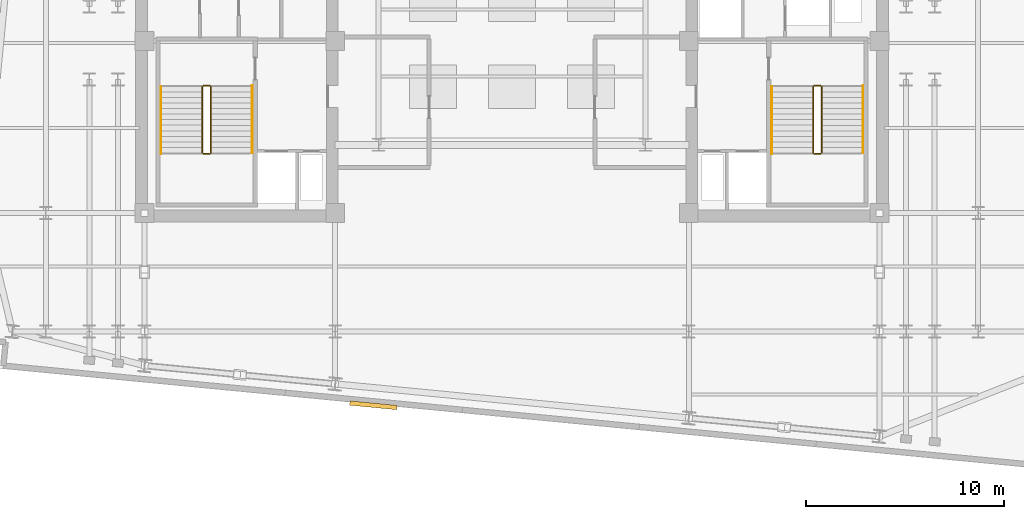
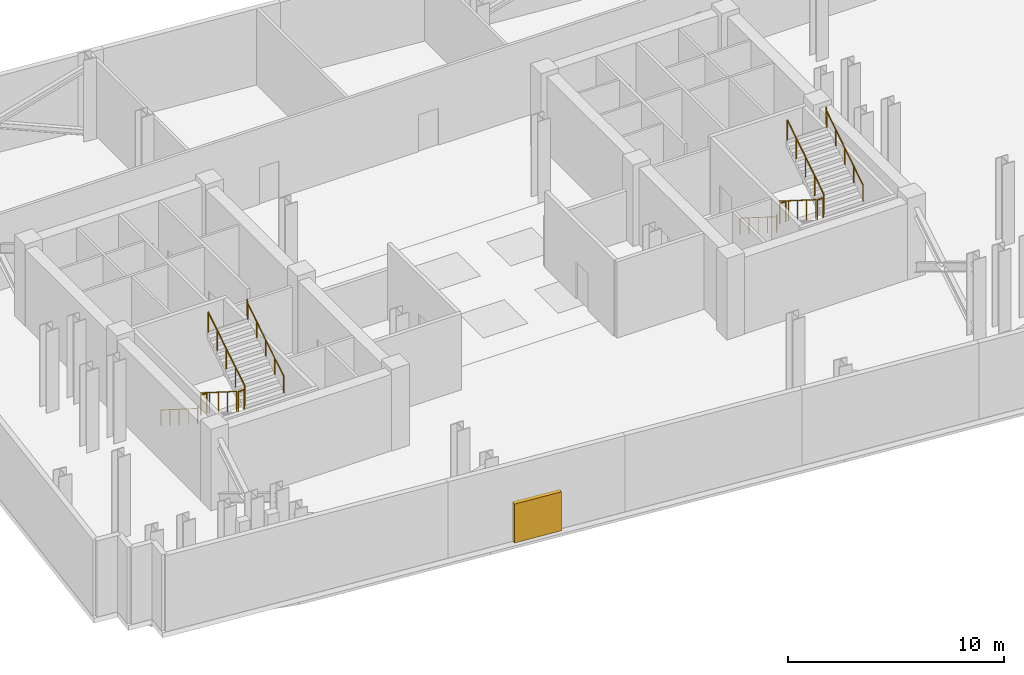
# One storey, part 7 of 8: 12 railings, 1 shading device.
"""IFC4 building model written with IfcOpenShell, lengths in metres."""

from ifc_helpers import new_model, si_unit, direction, frame, origin, origin_2d, place, context, subcontext, project, spatial, rectangle, circle, extrude, material, type_object, element, save


model = new_model("IFC4")

# Units and contexts
model_context = context("Model", 3, precision=1e-05, world=origin(), true_north=direction((0.0, 1.0)))
body_context = subcontext(model_context, "Body", "Model", "MODEL_VIEW")
ifc_project = project(units=[si_unit("LENGTHUNIT", "METRE"), si_unit("AREAUNIT", "SQUARE_METRE"), si_unit("VOLUMEUNIT", "CUBIC_METRE"), si_unit("PLANEANGLEUNIT", "RADIAN"), si_unit("MASSUNIT", "GRAM", prefix="KILO")], contexts=[model_context])

# Site, building, storey
site_placement = place(None, origin())
site = spatial("IfcSite", under=ifc_project, at=site_placement, CompositionType="ELEMENT")
building_placement = place(site_placement, origin())
building = spatial("IfcBuilding", under=site, at=building_placement, Name="Velakula Bourse", CompositionType="ELEMENT")
storey_placement = place(building_placement, frame((0.0, 0.0, 194.89990234375)))
storey = spatial("IfcBuildingStorey", under=building, at=storey_placement, Name="L53", CompositionType="ELEMENT", Elevation=194.89990234375)

# Railings
ifc_material_1 = material(Name="Brushed grade 316 stainless steel", Category="steel")
railing_type_1 = type_object("IfcRailingType", Name="RLG-STAIR-GUARD-1150", PredefinedType="BALUSTRADE", material=ifc_material_1)
railing_1_placement = place(storey_placement, frame((-15.672119140625, -2.199951171875, 0.177001953125)))
element("IfcRailing", 1, at=railing_1_placement, inside=storey, type_object=railing_type_1, Name="L53 ST-W1 stair guard 1", PredefinedType="BALUSTRADE", context=body_context, shape_type="SweptSolid", body=[
    extrude(circle(Radius=0.02490234375, at=origin_2d()), frame((0.0, 0.0, 1.125), z_axis=(0.0, -0.845389635667, 0.534150132366), x_axis=(1.0, 0.0, 0.0)), (0.0, 0.0, 1.0), 3.974609375),
    extrude(circle(Radius=0.02099609375, at=origin_2d()), origin(), (0.0, 0.0, 1.0), 1.099853515625),
    extrude(circle(Radius=0.02099609375, at=origin_2d()), frame((0.0, -0.840087890625, 0.53076171875)), (0.0, 0.0, 1.0), 1.099853515625),
    extrude(circle(Radius=0.02099609375, at=origin_2d()), frame((0.0, -1.68017578125, 1.0615234375)), (0.0, 0.0, 1.0), 1.099853515625),
    extrude(circle(Radius=0.02099609375, at=origin_2d()), frame((0.0, -2.52001953125, 1.59228515625)), (0.0, 0.0, 1.0), 1.099853515625),
    extrude(circle(Radius=0.02099609375, at=origin_2d()), frame((0.0, -3.360107421875, 2.123046875)), (0.0, 0.0, 1.0), 1.099853515625),
])
railing_2_placement = place(storey_placement, frame((-15.6220703125, -5.610107421875, 2.300048828125)))
element("IfcRailing", 2, at=railing_2_placement, inside=storey, type_object=railing_type_1, Name="L53 ST-W1 stair guard 2", PredefinedType="BALUSTRADE", context=body_context, shape_type="SweptSolid", body=[
    extrude(circle(Radius=0.02490234375, at=origin_2d()), frame((0.0, 0.0, 1.125), z_axis=(1.0, 0.0, 0.0), x_axis=(0.0, 1.0, 0.0)), (0.0, 0.0, 1.0), 0.323974609375),
    extrude(circle(Radius=0.02099609375, at=origin_2d()), origin(), (0.0, 0.0, 1.0), 1.099853515625),
    extrude(circle(Radius=0.02099609375, at=origin_2d()), frame((0.323974609375, 0.0, 0.0)), (0.0, 0.0, 1.0), 1.099853515625),
])
railing_3_placement = place(storey_placement, frame((-15.248046875, -5.56005859375, 2.47705078125)))
element("IfcRailing", 3, at=railing_3_placement, inside=storey, type_object=railing_type_1, Name="L53 ST-W1 stair guard 3", PredefinedType="BALUSTRADE", context=body_context, shape_type="SweptSolid", body=[
    extrude(circle(Radius=0.02490234375, at=origin_2d()), frame((0.0, 0.0, 1.125), z_axis=(0.0, 0.845389635667, 0.534150132366), x_axis=(-1.0, 0.0, 0.0)), (0.0, 0.0, 1.0), 3.974609375),
    extrude(circle(Radius=0.02099609375, at=origin_2d()), origin(), (0.0, 0.0, 1.0), 1.099853515625),
    extrude(circle(Radius=0.02099609375, at=origin_2d()), frame((0.0, 0.840087890625, 0.53076171875)), (0.0, 0.0, 1.0), 1.099853515625),
    extrude(circle(Radius=0.02099609375, at=origin_2d()), frame((0.0, 1.68017578125, 1.0615234375)), (0.0, 0.0, 1.0), 1.099853515625),
    extrude(circle(Radius=0.02099609375, at=origin_2d()), frame((0.0, 2.52001953125, 1.59228515625)), (0.0, 0.0, 1.0), 1.099853515625),
    extrude(circle(Radius=0.02099609375, at=origin_2d()), frame((0.0, 3.360107421875, 2.123046875)), (0.0, 0.0, 1.0), 1.099853515625),
])
railing_4_placement = place(storey_placement, frame((-15.6220703125, -2.14990234375, 0.0)))
element("IfcRailing", 4, at=railing_4_placement, inside=storey, type_object=railing_type_1, Name="L53 ST-W1 stair guard 4", PredefinedType="BALUSTRADE", context=body_context, shape_type="SweptSolid", body=[
    extrude(circle(Radius=0.02490234375, at=origin_2d()), frame((0.0, 0.0, 1.125), z_axis=(1.0, 0.0, 0.0), x_axis=(0.0, 1.0, 0.0)), (0.0, 0.0, 1.0), 0.323974609375),
    extrude(circle(Radius=0.02099609375, at=origin_2d()), origin(), (0.0, 0.0, 1.0), 1.099853515625),
    extrude(circle(Radius=0.02099609375, at=origin_2d()), frame((0.323974609375, 0.0, 0.0)), (0.0, 0.0, 1.0), 1.099853515625),
])
railing_5_placement = place(storey_placement, frame((15.248046875, -2.199951171875, 0.177001953125)))
element("IfcRailing", 5, at=railing_5_placement, inside=storey, type_object=railing_type_1, Name="L53 ST-E1 stair guard 1", PredefinedType="BALUSTRADE", context=body_context, shape_type="SweptSolid", body=[
    extrude(circle(Radius=0.02490234375, at=origin_2d()), frame((0.0, 0.0, 1.125), z_axis=(0.0, -0.845389635667, 0.534150132366), x_axis=(1.0, 0.0, 0.0)), (0.0, 0.0, 1.0), 3.974609375),
    extrude(circle(Radius=0.02099609375, at=origin_2d()), origin(), (0.0, 0.0, 1.0), 1.099853515625),
    extrude(circle(Radius=0.02099609375, at=origin_2d()), frame((0.0, -0.840087890625, 0.53076171875)), (0.0, 0.0, 1.0), 1.099853515625),
    extrude(circle(Radius=0.02099609375, at=origin_2d()), frame((0.0, -1.68017578125, 1.0615234375)), (0.0, 0.0, 1.0), 1.099853515625),
    extrude(circle(Radius=0.02099609375, at=origin_2d()), frame((0.0, -2.52001953125, 1.59228515625)), (0.0, 0.0, 1.0), 1.099853515625),
    extrude(circle(Radius=0.02099609375, at=origin_2d()), frame((0.0, -3.360107421875, 2.123046875)), (0.0, 0.0, 1.0), 1.099853515625),
])
railing_6_placement = place(storey_placement, frame((15.298095703125, -5.610107421875, 2.300048828125)))
element("IfcRailing", 6, at=railing_6_placement, inside=storey, type_object=railing_type_1, Name="L53 ST-E1 stair guard 2", PredefinedType="BALUSTRADE", context=body_context, shape_type="SweptSolid", body=[
    extrude(circle(Radius=0.02490234375, at=origin_2d()), frame((0.0, 0.0, 1.125), z_axis=(1.0, 0.0, 0.0), x_axis=(0.0, 1.0, 0.0)), (0.0, 0.0, 1.0), 0.323974609375),
    extrude(circle(Radius=0.02099609375, at=origin_2d()), origin(), (0.0, 0.0, 1.0), 1.099853515625),
    extrude(circle(Radius=0.02099609375, at=origin_2d()), frame((0.323974609375, 0.0, 0.0)), (0.0, 0.0, 1.0), 1.099853515625),
])
railing_7_placement = place(storey_placement, frame((15.672119140625, -5.56005859375, 2.47705078125)))
element("IfcRailing", 7, at=railing_7_placement, inside=storey, type_object=railing_type_1, Name="L53 ST-E1 stair guard 3", PredefinedType="BALUSTRADE", context=body_context, shape_type="SweptSolid", body=[
    extrude(circle(Radius=0.02490234375, at=origin_2d()), frame((0.0, 0.0, 1.125), z_axis=(0.0, 0.845389635667, 0.534150132366), x_axis=(-1.0, 0.0, 0.0)), (0.0, 0.0, 1.0), 3.974609375),
    extrude(circle(Radius=0.02099609375, at=origin_2d()), origin(), (0.0, 0.0, 1.0), 1.099853515625),
    extrude(circle(Radius=0.02099609375, at=origin_2d()), frame((0.0, 0.840087890625, 0.53076171875)), (0.0, 0.0, 1.0), 1.099853515625),
    extrude(circle(Radius=0.02099609375, at=origin_2d()), frame((0.0, 1.68017578125, 1.0615234375)), (0.0, 0.0, 1.0), 1.099853515625),
    extrude(circle(Radius=0.02099609375, at=origin_2d()), frame((0.0, 2.52001953125, 1.59228515625)), (0.0, 0.0, 1.0), 1.099853515625),
    extrude(circle(Radius=0.02099609375, at=origin_2d()), frame((0.0, 3.360107421875, 2.123046875)), (0.0, 0.0, 1.0), 1.099853515625),
])
railing_8_placement = place(storey_placement, frame((15.298095703125, -2.14990234375, 0.0)))
element("IfcRailing", 8, at=railing_8_placement, inside=storey, type_object=railing_type_1, Name="L53 ST-E1 stair guard 4", PredefinedType="BALUSTRADE", context=body_context, shape_type="SweptSolid", body=[
    extrude(circle(Radius=0.02490234375, at=origin_2d()), frame((0.0, 0.0, 1.125), z_axis=(1.0, 0.0, 0.0), x_axis=(0.0, 1.0, 0.0)), (0.0, 0.0, 1.0), 0.323974609375),
    extrude(circle(Radius=0.02099609375, at=origin_2d()), origin(), (0.0, 0.0, 1.0), 1.099853515625),
    extrude(circle(Radius=0.02099609375, at=origin_2d()), frame((0.323974609375, 0.0, 0.0)), (0.0, 0.0, 1.0), 1.099853515625),
])
railing_type_2 = type_object("IfcRailingType", Name="RLG-STAIR-HAND-920", PredefinedType="HANDRAIL", material=ifc_material_1)
railing_9_placement = place(storey_placement, frame((-17.77001953125, -2.199951171875, 0.177001953125)))
element("IfcRailing", 9, at=railing_9_placement, inside=storey, type_object=railing_type_2, Name="L53 ST-W1 stair handrail 1", PredefinedType="HANDRAIL", context=body_context, shape_type="SweptSolid", body=[
    extrude(circle(Radius=0.02099609375, at=origin_2d()), frame((0.0, 0.0, 0.89892578125), z_axis=(0.0, -0.845389635667, 0.534150132366), x_axis=(1.0, 0.0, 0.0)), (0.0, 0.0, 1.0), 3.974609375),
    extrude(circle(Radius=0.02099609375, at=origin_2d()), frame((0.0, -3.360107421875, 3.02197265625), z_axis=(0.0, -0.220632483455, 0.975357015274), x_axis=(1.0, 0.0, 0.0)), (0.0, 0.0, 1.0), 0.181396484375),
    extrude(circle(Radius=0.02099609375, at=origin_2d()), frame((0.0, -3.400146484375, 3.198974609375), z_axis=(0.0, -1.0, 0.0), x_axis=(1.0, 0.0, 0.0)), (0.0, 0.0, 1.0), 0.0048828125),
    extrude(circle(Radius=0.02099609375, at=origin_2d()), origin(), (0.0, 0.0, 1.0), 0.8779296875),
    extrude(circle(Radius=0.02099609375, at=origin_2d()), frame((0.0, -0.840087890625, 0.53076171875)), (0.0, 0.0, 1.0), 0.8779296875),
    extrude(circle(Radius=0.02099609375, at=origin_2d()), frame((0.0, -1.68017578125, 1.0615234375)), (0.0, 0.0, 1.0), 0.8779296875),
    extrude(circle(Radius=0.02099609375, at=origin_2d()), frame((0.0, -2.52001953125, 1.59228515625)), (0.0, 0.0, 1.0), 0.8779296875),
    extrude(circle(Radius=0.02099609375, at=origin_2d()), frame((0.0, -3.360107421875, 2.123046875)), (0.0, 0.0, 1.0), 0.8779296875),
    extrude(circle(Radius=0.02099609375, at=origin_2d()), frame((0.0, -3.400146484375, 2.300048828125)), (0.0, 0.0, 1.0), 0.8779296875),
    extrude(circle(Radius=0.02099609375, at=origin_2d()), frame((0.0, -3.405029296875, 2.300048828125)), (0.0, 0.0, 1.0), 0.8779296875),
])
railing_10_placement = place(storey_placement, frame((-13.14990234375, -5.56005859375, 2.47705078125)))
element("IfcRailing", 10, at=railing_10_placement, inside=storey, type_object=railing_type_2, Name="L53 ST-W1 stair handrail 2", PredefinedType="HANDRAIL", context=body_context, shape_type="SweptSolid", body=[
    extrude(circle(Radius=0.02099609375, at=origin_2d()), frame((0.0, 0.0, 0.89892578125), z_axis=(0.0, 0.845389635667, 0.534150132366), x_axis=(-1.0, 0.0, 0.0)), (0.0, 0.0, 1.0), 3.974609375),
    extrude(circle(Radius=0.02099609375, at=origin_2d()), frame((0.0, 3.360107421875, 3.02197265625), z_axis=(0.0, 0.220632483455, 0.975357015274), x_axis=(-1.0, 0.0, 0.0)), (0.0, 0.0, 1.0), 0.181396484375),
    extrude(circle(Radius=0.02099609375, at=origin_2d()), frame((0.0, 3.400146484375, 3.198974609375), z_axis=(0.0, 1.0, 0.0), x_axis=(-1.0, 0.0, 0.0)), (0.0, 0.0, 1.0), 0.0048828125),
    extrude(circle(Radius=0.02099609375, at=origin_2d()), origin(), (0.0, 0.0, 1.0), 0.8779296875),
    extrude(circle(Radius=0.02099609375, at=origin_2d()), frame((0.0, 0.840087890625, 0.53076171875)), (0.0, 0.0, 1.0), 0.8779296875),
    extrude(circle(Radius=0.02099609375, at=origin_2d()), frame((0.0, 1.68017578125, 1.0615234375)), (0.0, 0.0, 1.0), 0.8779296875),
    extrude(circle(Radius=0.02099609375, at=origin_2d()), frame((0.0, 2.52001953125, 1.59228515625)), (0.0, 0.0, 1.0), 0.8779296875),
    extrude(circle(Radius=0.02099609375, at=origin_2d()), frame((0.0, 3.360107421875, 2.123046875)), (0.0, 0.0, 1.0), 0.8779296875),
    extrude(circle(Radius=0.02099609375, at=origin_2d()), frame((0.0, 3.400146484375, 2.300048828125)), (0.0, 0.0, 1.0), 0.8779296875),
    extrude(circle(Radius=0.02099609375, at=origin_2d()), frame((0.0, 3.405029296875, 2.300048828125)), (0.0, 0.0, 1.0), 0.8779296875),
])
railing_11_placement = place(storey_placement, frame((13.14990234375, -2.199951171875, 0.177001953125)))
element("IfcRailing", 11, at=railing_11_placement, inside=storey, type_object=railing_type_2, Name="L53 ST-E1 stair handrail 1", PredefinedType="HANDRAIL", context=body_context, shape_type="SweptSolid", body=[
    extrude(circle(Radius=0.02099609375, at=origin_2d()), frame((0.0, 0.0, 0.89892578125), z_axis=(0.0, -0.845389635667, 0.534150132366), x_axis=(1.0, 0.0, 0.0)), (0.0, 0.0, 1.0), 3.974609375),
    extrude(circle(Radius=0.02099609375, at=origin_2d()), frame((0.0, -3.360107421875, 3.02197265625), z_axis=(0.0, -0.220632483455, 0.975357015274), x_axis=(1.0, 0.0, 0.0)), (0.0, 0.0, 1.0), 0.181396484375),
    extrude(circle(Radius=0.02099609375, at=origin_2d()), frame((0.0, -3.400146484375, 3.198974609375), z_axis=(0.0, -1.0, 0.0), x_axis=(1.0, 0.0, 0.0)), (0.0, 0.0, 1.0), 0.0048828125),
    extrude(circle(Radius=0.02099609375, at=origin_2d()), origin(), (0.0, 0.0, 1.0), 0.8779296875),
    extrude(circle(Radius=0.02099609375, at=origin_2d()), frame((0.0, -0.840087890625, 0.53076171875)), (0.0, 0.0, 1.0), 0.8779296875),
    extrude(circle(Radius=0.02099609375, at=origin_2d()), frame((0.0, -1.68017578125, 1.0615234375)), (0.0, 0.0, 1.0), 0.8779296875),
    extrude(circle(Radius=0.02099609375, at=origin_2d()), frame((0.0, -2.52001953125, 1.59228515625)), (0.0, 0.0, 1.0), 0.8779296875),
    extrude(circle(Radius=0.02099609375, at=origin_2d()), frame((0.0, -3.360107421875, 2.123046875)), (0.0, 0.0, 1.0), 0.8779296875),
    extrude(circle(Radius=0.02099609375, at=origin_2d()), frame((0.0, -3.400146484375, 2.300048828125)), (0.0, 0.0, 1.0), 0.8779296875),
    extrude(circle(Radius=0.02099609375, at=origin_2d()), frame((0.0, -3.405029296875, 2.300048828125)), (0.0, 0.0, 1.0), 0.8779296875),
])
railing_12_placement = place(storey_placement, frame((17.77001953125, -5.56005859375, 2.47705078125)))
element("IfcRailing", 12, at=railing_12_placement, inside=storey, type_object=railing_type_2, Name="L53 ST-E1 stair handrail 2", PredefinedType="HANDRAIL", context=body_context, shape_type="SweptSolid", body=[
    extrude(circle(Radius=0.02099609375, at=origin_2d()), frame((0.0, 0.0, 0.89892578125), z_axis=(0.0, 0.845389635667, 0.534150132366), x_axis=(-1.0, 0.0, 0.0)), (0.0, 0.0, 1.0), 3.974609375),
    extrude(circle(Radius=0.02099609375, at=origin_2d()), frame((0.0, 3.360107421875, 3.02197265625), z_axis=(0.0, 0.220632483455, 0.975357015274), x_axis=(-1.0, 0.0, 0.0)), (0.0, 0.0, 1.0), 0.181396484375),
    extrude(circle(Radius=0.02099609375, at=origin_2d()), frame((0.0, 3.400146484375, 3.198974609375), z_axis=(0.0, 1.0, 0.0), x_axis=(-1.0, 0.0, 0.0)), (0.0, 0.0, 1.0), 0.0048828125),
    extrude(circle(Radius=0.02099609375, at=origin_2d()), origin(), (0.0, 0.0, 1.0), 0.8779296875),
    extrude(circle(Radius=0.02099609375, at=origin_2d()), frame((0.0, 0.840087890625, 0.53076171875)), (0.0, 0.0, 1.0), 0.8779296875),
    extrude(circle(Radius=0.02099609375, at=origin_2d()), frame((0.0, 1.68017578125, 1.0615234375)), (0.0, 0.0, 1.0), 0.8779296875),
    extrude(circle(Radius=0.02099609375, at=origin_2d()), frame((0.0, 2.52001953125, 1.59228515625)), (0.0, 0.0, 1.0), 0.8779296875),
    extrude(circle(Radius=0.02099609375, at=origin_2d()), frame((0.0, 3.360107421875, 2.123046875)), (0.0, 0.0, 1.0), 0.8779296875),
    extrude(circle(Radius=0.02099609375, at=origin_2d()), frame((0.0, 3.400146484375, 2.300048828125)), (0.0, 0.0, 1.0), 0.8779296875),
    extrude(circle(Radius=0.02099609375, at=origin_2d()), frame((0.0, 3.405029296875, 2.300048828125)), (0.0, 0.0, 1.0), 0.8779296875),
])

# Shading device
ifc_material_2 = material(Name="Anodised bronze architectural aluminium", Category="aluminium")
shading_device_type = type_object("IfcShadingDeviceType", Name="SHD-JLS-2400", PredefinedType="JALOUSIE", material=ifc_material_2)
shading_device_placement = place(storey_placement, frame((-7.01708984375, -18.338134765625, 0.0), z_axis=(0.0, 0.0, 1.0), x_axis=(0.995396198367, -0.09584575252, 0.0)))
element("IfcShadingDevice", 13, at=shading_device_placement, inside=storey, type_object=shading_device_type, Name="L53 Mechanical Plant Acoustic Intake Louvre S", PredefinedType="JALOUSIE", context=body_context, shape_type="SweptSolid", body=[
    extrude(rectangle(XDim=2.39990234375, YDim=0.219970703125, at=origin_2d()), origin(), (0.0, 0.0, 1.0), 2.199951171875),
])

save(model, "model.ifc")
